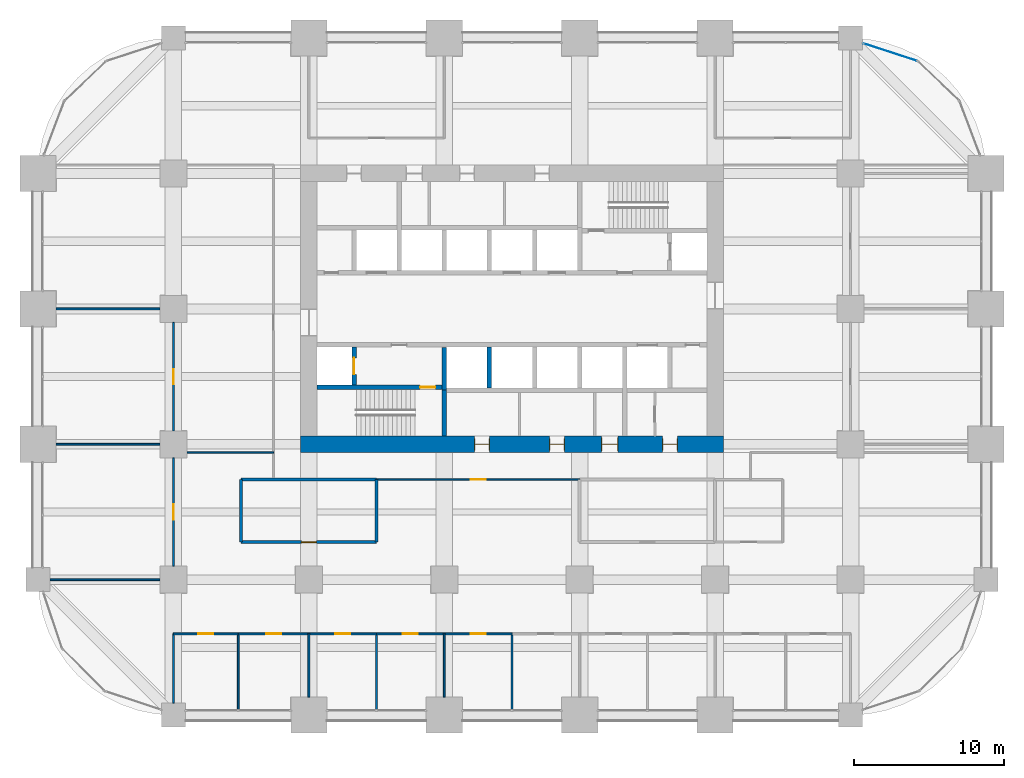
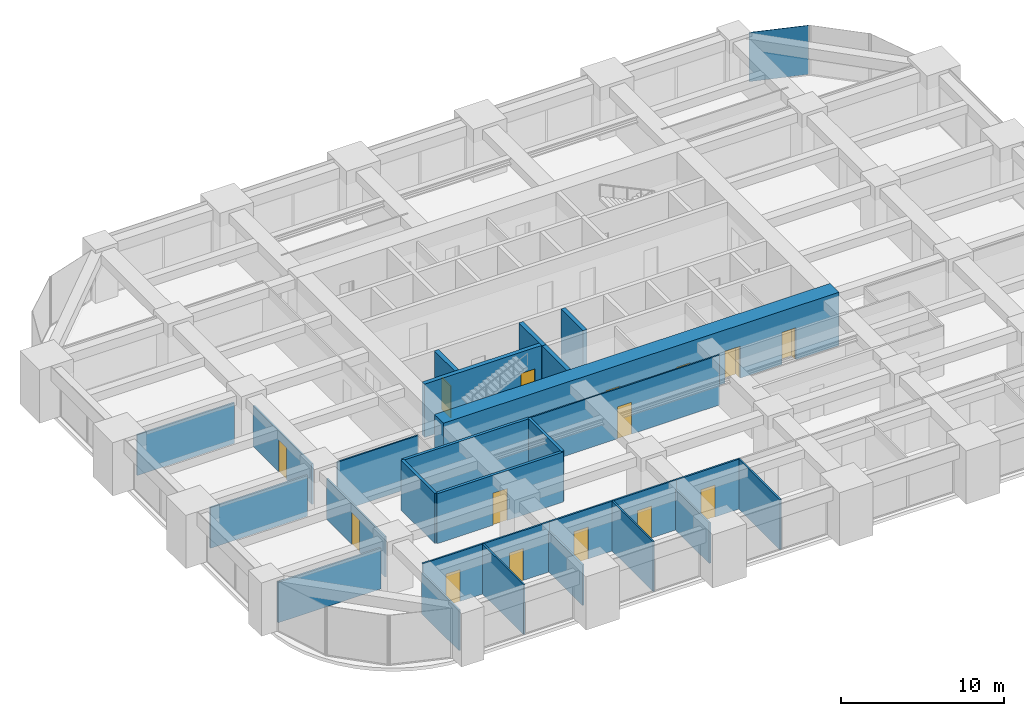
# One storey, part 36 of 40: 28 walls, 15 doors, 1 plate, 15 openings, 1 element without a shape of its own.
"""IFC4 building model written with IfcOpenShell, lengths in metres."""

import ifcopenshell
import ifcopenshell.guid

model = None  # the IFC model being written
_history = None  # IfcOwnerHistory: only IFC2X3 demands one
_inside = {}  # id of a spatial element -> (the spatial element, [elements in it])
_under = {}  # id of a project, library or spatial element -> (it, [spatial elements below it])
_declared = {}  # id of a project -> (the project, [libraries it declares])
_typed = {}  # id of a type object -> (the type object, [elements of that type])
_made_of = {}  # id of a material, layer set ... -> (it, [elements and type objects made of it])


def new_model(schema):
    """Start an empty IFC model of exactly this schema.

    Asked for "IFC4X3", IfcOpenShell would pick the latest addendum, in which some entities
    have other attributes; the version numbers below select the first issue.
    IFC2X3 requires an IfcOwnerHistory on every rooted entity: one is made here for all.
    """
    global model, _history
    if schema == "IFC4X3":
        model = ifcopenshell.file(schema_version=(4, 3, 0, 0))
    else:
        model = ifcopenshell.file(schema=schema)
    _inside.clear()
    _under.clear()
    _declared.clear()
    _typed.clear()
    _made_of.clear()
    _history = None
    if model.schema == "IFC2X3":
        org = make("IfcOrganization", Name="unknown")
        user = make(
            "IfcPersonAndOrganization",
            ThePerson=make("IfcPerson", FamilyName="unknown"),
            TheOrganization=org,
        )
        app = make(
            "IfcApplication",
            ApplicationDeveloper=org,
            Version="unknown",
            ApplicationFullName="unknown",
            ApplicationIdentifier="unknown",
        )
        _history = make(
            "IfcOwnerHistory",
            OwningUser=user,
            OwningApplication=app,
            ChangeAction="ADDED",
            CreationDate=0,
        )
    return model


def make(cls, **values):
    """One entity of the class cls with the attributes given. An attribute that is None is left unset."""
    return model.create_entity(
        cls, **{name: value for name, value in values.items() if value is not None}
    )


def rooted(cls, **values):
    """An entity with a GlobalId (a new one), such as an element, a storey or a relation."""
    return make(cls, GlobalId=ifcopenshell.guid.new(), OwnerHistory=_history, **values)


def si_unit(unit_type, name, prefix=None):
    """IfcSIUnit, for example si_unit("LENGTHUNIT", "METRE", prefix="MILLI")."""
    return make("IfcSIUnit", UnitType=unit_type, Prefix=prefix, Name=name)


def assignment(units):
    """IfcUnitAssignment: the units of a project."""
    return None if units is None else make("IfcUnitAssignment", Units=units)


def point(xyz):
    """IfcCartesianPoint."""
    return None if xyz is None else make("IfcCartesianPoint", Coordinates=xyz)


def direction(xyz):
    """IfcDirection."""
    return None if xyz is None else make("IfcDirection", DirectionRatios=xyz)


def frame(location, z_axis=None, x_axis=None):
    """IfcAxis2Placement3D, a coordinate frame: its origin and axes. An axis left out is left unset."""
    return make(
        "IfcAxis2Placement3D",
        Location=point(location),
        Axis=direction(z_axis),
        RefDirection=direction(x_axis),
    )


def frame_2d(location, x_axis=None):
    """IfcAxis2Placement2D, a coordinate frame in the plane: its origin and x axis."""
    return make(
        "IfcAxis2Placement2D", Location=point(location), RefDirection=direction(x_axis)
    )


def origin():
    """The frame at (0, 0, 0) with its axes left unset."""
    return frame((0.0, 0.0, 0.0))


def origin_2d():
    """The frame at (0, 0) in the plane with its x axis left unset."""
    return frame_2d((0.0, 0.0))


def place(relative_to, where):
    """IfcLocalPlacement: puts the frame where relative to a parent placement (None: the world)."""
    return make(
        "IfcLocalPlacement", PlacementRelTo=relative_to, RelativePlacement=where
    )


def context(
    kind, dimensions, precision=None, world=None, true_north=None, identifier=None
):
    """IfcGeometricRepresentationContext, for example the 3D "Model" context."""
    return make(
        "IfcGeometricRepresentationContext",
        ContextIdentifier=identifier,
        ContextType=kind,
        CoordinateSpaceDimension=dimensions,
        Precision=precision,
        WorldCoordinateSystem=world,
        TrueNorth=true_north,
    )


def subcontext(parent, identifier, kind, view, scale=None):
    """IfcGeometricRepresentationSubContext, for example "Body" below "Model"."""
    return make(
        "IfcGeometricRepresentationSubContext",
        ContextIdentifier=identifier,
        ContextType=kind,
        ParentContext=parent,
        TargetScale=scale,
        TargetView=view,
    )


def project(units=None, contexts=None):
    """IfcProject with its units and contexts."""
    return rooted(
        "IfcProject",
        Name="project",
        RepresentationContexts=contexts,
        UnitsInContext=assignment(units),
    )


def spatial(cls, under=None, at=None, **own):
    """A site, building, storey or space (cls), placed at a placement, below another one or the project."""
    s = rooted(cls, ObjectPlacement=at, **own)
    if under is not None:
        _under.setdefault(under.id(), (under, []))[1].append(s)
    return s


def profile(cls, at=None, kind="AREA", **sizes):
    """A parametric profile (cls). Its sizes go by their IFC names, for example OverallWidth=200.0."""
    return make(cls, ProfileType=kind, Position=at, **sizes)


def rectangle(**sizes):
    """IfcRectangleProfileDef."""
    return profile("IfcRectangleProfileDef", **sizes)


def extrude(swept, where, along, depth):
    """IfcExtrudedAreaSolid: the profile swept, set in the frame where, extruded along a direction by depth."""
    return make(
        "IfcExtrudedAreaSolid",
        SweptArea=swept,
        Position=where,
        ExtrudedDirection=direction(along),
        Depth=depth,
    )


def shape(context_of_items, identifier, shape_type, items):
    """IfcShapeRepresentation: the items that make up one representation, for example the "Body"."""
    return make(
        "IfcShapeRepresentation",
        ContextOfItems=context_of_items,
        RepresentationIdentifier=identifier,
        RepresentationType=shape_type,
        Items=items,
    )


def material(Name=None, Category=None):
    """IfcMaterial."""
    return make("IfcMaterial", Name=Name, Category=Category)


def layer(
    of_material, thickness, ventilated=None, Name=None, Category=None, Priority=None
):
    """IfcMaterialLayer: one layer of a wall or slab, of a material (None: an air gap)."""
    return make(
        "IfcMaterialLayer",
        Material=of_material,
        LayerThickness=thickness,
        IsVentilated=ventilated,
        Name=Name,
        Category=Category,
        Priority=Priority,
    )


def layer_set(layers, Name=None):
    """IfcMaterialLayerSet."""
    return make("IfcMaterialLayerSet", MaterialLayers=layers, LayerSetName=Name)


def made_of(thing, what):
    """Note that an element or type object is made of a material, layer set ...; save() writes the relation."""
    if what is not None:
        _made_of.setdefault(what.id(), (what, []))[1].append(thing)
    return thing


def type_object(cls, material=None, **own):
    """A type object (cls), such as IfcWallType, which elements share."""
    return made_of(rooted(cls, **own), material)


def element(
    cls,
    number,
    at=None,
    inside=None,
    cuts=None,
    type_object=None,
    material=None,
    context=None,
    identifier="Body",
    shape_type=None,
    held_by="IfcProductDefinitionShape",
    body=None,
    shapes=None,
    **own,
):
    """One element of the class cls, such as IfcWall. Its Tag is "e" and its number.

    at: its placement. inside: the storey or other place that contains it. cuts: it is an
    opening in that element (IfcRelVoidsElement). A single representation is given by context,
    identifier, shape_type and body (its items); several are given by shapes. held_by: the class
    of the entity that holds the representations. save() writes the other relations.
    """
    e = rooted(cls, Tag="e%d" % number, ObjectPlacement=at, **own)
    if body is not None:
        shapes = [shape(context, identifier, shape_type, body)]
    if shapes is not None:
        e.Representation = make(held_by, Representations=shapes)
    if inside is not None:
        _inside.setdefault(inside.id(), (inside, []))[1].append(e)
    if cuts is not None:
        rooted(
            "IfcRelVoidsElement", RelatingBuildingElement=cuts, RelatedOpeningElement=e
        )
    if type_object is not None:
        _typed.setdefault(type_object.id(), (type_object, []))[1].append(e)
    return made_of(e, material)


def fill(opening, filler):
    """IfcRelFillsElement: the door or window that sits in an opening."""
    return rooted(
        "IfcRelFillsElement",
        RelatingOpeningElement=opening,
        RelatedBuildingElement=filler,
    )


def aggregate(whole, parts):
    """IfcRelAggregates: a whole, such as a stair, and the parts it consists of."""
    return rooted("IfcRelAggregates", RelatingObject=whole, RelatedObjects=parts)


def save(model, path):
    """Write the relations noted so far, then the file.

    IfcRelAggregates (storeys below a building ...), IfcRelContainedInSpatialStructure (elements
    in a storey), IfcRelDefinesByType, IfcRelAssociatesMaterial and IfcRelDeclares: one each for
    every whole, place, type object, material and project.
    """
    for whole, parts in _under.values():
        aggregate(whole, parts)
    for where, things in _inside.values():
        rooted(
            "IfcRelContainedInSpatialStructure",
            RelatedElements=things,
            RelatingStructure=where,
        )
    for kind, things in _typed.values():
        rooted("IfcRelDefinesByType", RelatedObjects=things, RelatingType=kind)
    for what, things in _made_of.values():
        rooted("IfcRelAssociatesMaterial", RelatedObjects=things, RelatingMaterial=what)
    for by, libraries in _declared.values():
        rooted("IfcRelDeclares", RelatingContext=by, RelatedDefinitions=libraries)
    model.write(path)


model = new_model("IFC4")

# Units and contexts
model_context = context("Model", 3, precision=1e-05, world=origin(), true_north=direction((0.0, 1.0)))
body_context = subcontext(model_context, "Body", "Model", "MODEL_VIEW")
ifc_project = project(units=[si_unit("LENGTHUNIT", "METRE"), si_unit("AREAUNIT", "SQUARE_METRE"), si_unit("VOLUMEUNIT", "CUBIC_METRE"), si_unit("PLANEANGLEUNIT", "RADIAN"), si_unit("MASSUNIT", "GRAM", prefix="KILO")], contexts=[model_context])

# Site, building, storey
site_placement = place(None, origin())
site = spatial("IfcSite", under=ifc_project, at=site_placement, CompositionType="ELEMENT")
building_placement = place(site_placement, origin())
building = spatial("IfcBuilding", under=site, at=building_placement, Name="Zorevar Civic Tower", CompositionType="ELEMENT")
storey_placement = place(building_placement, frame((0.0, 0.0, 129.0)))
storey = spatial("IfcBuildingStorey", under=building, at=storey_placement, Name="L31", CompositionType="ELEMENT", Elevation=129.0)

# Curtain wall, plate
ifc_material_1 = material(Name="Dark grey solar-control glass in black aluminium frame", Category="aluminium")
curtain_wall_type = type_object("IfcCurtainWallType", Name="Curtain wall CW3 mid zone", PredefinedType="NOTDEFINED", material=ifc_material_1)
curtain_wall_placement = place(storey_placement, origin())
curtain_wall = element("IfcCurtainWall", 1, at=curtain_wall_placement, inside=storey, type_object=curtain_wall_type, Name="CW3 L31", PredefinedType="NOTDEFINED")
ifc_material_2 = material(Name="Dark grey solar-control glass", Category="glass")
ifc_layer_1 = layer(ifc_material_2, 0.030029296875)
ifc_layer_set_1 = layer_set([ifc_layer_1], Name="CW3 panel 30")
plate_type = type_object("IfcPlateType", Name="CW3 panel 30", PredefinedType="CURTAIN_PANEL", material=ifc_layer_set_1)
plate_placement = place(storey_placement, frame((56.63232421875, 44.065185546875, 0.06005859375), z_axis=(0.0, 0.0, 1.0), x_axis=(-0.950650706548, 0.310263169163, 0.0)))
plate = element("IfcPlate", 2, at=plate_placement, type_object=plate_type, Name="CW3 panel 1.1", PredefinedType="CURTAIN_PANEL", context=body_context, shape_type="SweptSolid", body=[
    extrude(rectangle(XDim=3.734619140625, YDim=0.030029296875, at=origin_2d()), origin(), (0.0, 0.0, 1.0), 3.68994140625),
])
aggregate(curtain_wall, [plate])

# Wall, opening, door
ifc_material_3 = material(Name="Concrete blockwork", Category="masonry")
ifc_layer_2 = layer(ifc_material_3, 0.199951171875)
ifc_layer_set_2 = layer_set([ifc_layer_2], Name="Blockwork wall 200")
wall_type_1 = type_object("IfcWallType", Name="Blockwork wall 200", PredefinedType="SOLIDWALL", material=ifc_layer_set_2)
wall_1_placement = place(storey_placement, frame((13.5, 11.5, 0.0), z_axis=(0.0, 0.0, 1.0), x_axis=(1.0, 0.0, 0.0)))
wall_1 = element("IfcWall", 3, at=wall_1_placement, inside=storey, type_object=wall_type_1, Name="Blockwork wall 200 L31", PredefinedType="SOLIDWALL", context=body_context, shape_type="SweptSolid", body=[
    extrude(rectangle(XDim=9.0, YDim=0.199951171875, at=frame_2d((4.5, 0.0))), origin(), (0.0, 0.0, 1.0), 3.75),
])
opening_1_placement = place(wall_1_placement, frame((4.0, 0.0, 0.0)))
opening_1 = element("IfcOpeningElement", 4, at=opening_1_placement, cuts=wall_1, Name="Opening L31.27", PredefinedType="OPENING", context=body_context, shape_type="SweptSolid", body=[
    extrude(rectangle(XDim=1.0, YDim=2.39990234375, at=frame_2d((0.5, 1.199951171875))), frame((0.0, 0.10986328125, 0.0), z_axis=(0.0, -1.0, 0.0), x_axis=(1.0, 0.0, 0.0)), (0.0, 0.0, 1.0), 0.219970703125),
])
ifc_material_4 = material(Name="Steel door set", Category="steel")
door_type_1 = type_object("IfcDoorType", Name="Security door SD1 1000x2400", OperationType="SINGLE_SWING_LEFT", PredefinedType="DOOR", material=ifc_material_4)
door_1_placement = place(opening_1_placement, origin())
door_1 = element("IfcDoor", 5, at=door_1_placement, inside=storey, type_object=door_type_1, Name="Door L31 D1", OperationType="SINGLE_SWING_LEFT", OverallHeight=2.39990234375, OverallWidth=1.0, PredefinedType="DOOR", context=body_context, shape_type="SweptSolid", body=[
    extrude(rectangle(XDim=1.0, YDim=2.39990234375, at=frame_2d((0.5, 1.199951171875))), frame((0.0, 0.03515625, 0.0), z_axis=(0.0, -1.0, 0.0), x_axis=(1.0, 0.0, 0.0)), (0.0, 0.0, 1.0), 0.070068359375),
])
fill(opening_1, door_1)

# Walls
wall_2_placement = place(storey_placement, frame((13.5, 15.64990234375, 0.0), z_axis=(0.0, 0.0, 1.0), x_axis=(1.0, 0.0, 0.0)))
element("IfcWall", 6, at=wall_2_placement, inside=storey, type_object=wall_type_1, Name="Blockwork wall 200 L31", PredefinedType="SOLIDWALL", context=body_context, shape_type="SweptSolid", body=[
    extrude(rectangle(XDim=9.0, YDim=0.199951171875, at=frame_2d((4.5, 0.0))), origin(), (0.0, 0.0, 1.0), 3.75),
])
for number, where, z_axis, x_axis, name in (
    (7, (13.5, 11.5, 0.0), (0.0, 0.0, 1.0), (0.0, 1.0, 0.0), "Blockwork wall 200 L31"),
    (8, (22.5, 11.5, 0.0), (0.0, 0.0, 1.0), (0.0, 1.0, 0.0), "Blockwork wall 200 L31"),
):
    element("IfcWall", number, at=place(storey_placement, frame(where, z_axis=z_axis, x_axis=x_axis)), inside=storey, type_object=wall_type_1, Name=name, PredefinedType="SOLIDWALL", context=body_context, shape_type="SweptSolid", body=[
        extrude(rectangle(XDim=4.14990234375, YDim=0.199951171875, at=frame_2d((2.074951171875, 0.0))), origin(), (0.0, 0.0, 1.0), 3.75),
    ])

# Wall, openings, doors
ifc_material_5 = material(Name="Concrete C50/60", Category="concrete")
ifc_layer_3 = layer(ifc_material_5, 1.10009765625)
ifc_layer_set_3 = layer_set([ifc_layer_3], Name="Core wall 1100")
wall_type_2 = type_object("IfcWallType", Name="Core wall 1100", PredefinedType="SHEAR", material=ifc_layer_set_3)
wall_3_placement = place(storey_placement, frame((17.449951171875, 18.0, 0.0), z_axis=(0.0, 0.0, 1.0), x_axis=(1.0, 0.0, 0.0)))
wall_3 = element("IfcWall", 9, at=wall_3_placement, inside=storey, type_object=wall_type_2, Name="Core wall S L31", PredefinedType="SHEAR", context=body_context, shape_type="SweptSolid", body=[
    extrude(rectangle(XDim=28.10009765625, YDim=1.10009765625, at=frame_2d((14.050048828125, 0.0))), origin(), (0.0, 0.0, 1.0), 4.0),
])
opening_2_placement = place(wall_3_placement, frame((11.550048828125, 0.0, 0.0)))
opening_2 = element("IfcOpeningElement", 10, at=opening_2_placement, cuts=wall_3, Name="Opening L31.03", PredefinedType="OPENING", context=body_context, shape_type="SweptSolid", body=[
    extrude(rectangle(XDim=1.0, YDim=2.39990234375, at=frame_2d((0.5, 1.199951171875))), frame((0.0, 0.56005859375, 0.0), z_axis=(0.0, -1.0, 0.0), x_axis=(1.0, 0.0, 0.0)), (0.0, 0.0, 1.0), 1.1201171875),
])
opening_3_placement = place(wall_3_placement, frame((16.550048828125, 0.0, 0.0)))
opening_3 = element("IfcOpeningElement", 11, at=opening_3_placement, cuts=wall_3, Name="Opening L31.04", PredefinedType="OPENING", context=body_context, shape_type="SweptSolid", body=[
    extrude(rectangle(XDim=1.0, YDim=2.39990234375, at=frame_2d((0.5, 1.199951171875))), frame((0.0, 0.56005859375, 0.0), z_axis=(0.0, -1.0, 0.0), x_axis=(1.0, 0.0, 0.0)), (0.0, 0.0, 1.0), 1.1201171875),
])
opening_4_placement = place(wall_3_placement, frame((20.0, 0.0, 0.0)))
opening_4 = element("IfcOpeningElement", 12, at=opening_4_placement, cuts=wall_3, Name="Opening L31.05", PredefinedType="OPENING", context=body_context, shape_type="SweptSolid", body=[
    extrude(rectangle(XDim=1.10009765625, YDim=2.39990234375, at=frame_2d((0.550048828125, 1.199951171875))), frame((0.0, 0.56005859375, 0.0), z_axis=(0.0, -1.0, 0.0), x_axis=(1.0, 0.0, 0.0)), (0.0, 0.0, 1.0), 1.1201171875),
])
opening_5_placement = place(wall_3_placement, frame((24.050048828125, 0.0, 0.0)))
opening_5 = element("IfcOpeningElement", 13, at=opening_5_placement, cuts=wall_3, Name="Opening L31.06", PredefinedType="OPENING", context=body_context, shape_type="SweptSolid", body=[
    extrude(rectangle(XDim=1.0, YDim=2.39990234375, at=frame_2d((0.5, 1.199951171875))), frame((0.0, 0.56005859375, 0.0), z_axis=(0.0, -1.0, 0.0), x_axis=(1.0, 0.0, 0.0)), (0.0, 0.0, 1.0), 1.1201171875),
])
ifc_material_6 = material(Name="Timber door set", Category="wood")
door_type_2 = type_object("IfcDoorType", Name="Door D1 1000x2400", OperationType="SINGLE_SWING_LEFT", PredefinedType="DOOR", material=ifc_material_6)
door_2_placement = place(opening_2_placement, origin())
door_2 = element("IfcDoor", 14, at=door_2_placement, inside=storey, type_object=door_type_2, Name="Door L31 02", OperationType="SINGLE_SWING_RIGHT", OverallHeight=2.39990234375, OverallWidth=1.0, PredefinedType="DOOR", context=body_context, shape_type="SweptSolid", body=[
    extrude(rectangle(XDim=1.0, YDim=2.39990234375, at=frame_2d((0.5, 1.199951171875))), frame((0.0, 0.02490234375, 0.0), z_axis=(0.0, -1.0, 0.0), x_axis=(1.0, 0.0, 0.0)), (0.0, 0.0, 1.0), 0.050048828125),
    extrude(rectangle(XDim=0.04, YDim=2.39990234375, at=frame_2d((0.02001953125, 1.199951171875))), frame((0.0, 0.39990234375, 0.0), z_axis=(0.0, -1.0, 0.0), x_axis=(1.0, 0.0, 0.0)), (0.0, 0.0, 1.0), 0.800048828125),
    extrude(rectangle(XDim=0.04, YDim=2.39990234375, at=frame_2d((0.97998046875, 1.199951171875))), frame((0.0, 0.39990234375, 0.0), z_axis=(0.0, -1.0, 0.0), x_axis=(1.0, 0.0, 0.0)), (0.0, 0.0, 1.0), 0.800048828125),
    extrude(rectangle(XDim=1.0, YDim=0.04, at=frame_2d((0.5, 2.3798828125))), frame((0.0, 0.39990234375, 0.0), z_axis=(0.0, -1.0, 0.0), x_axis=(1.0, 0.0, 0.0)), (0.0, 0.0, 1.0), 0.800048828125),
])
fill(opening_2, door_2)
door_3_placement = place(opening_3_placement, origin())
door_3 = element("IfcDoor", 15, at=door_3_placement, inside=storey, type_object=door_type_2, Name="Door L31 03", OperationType="SINGLE_SWING_LEFT", OverallHeight=2.39990234375, OverallWidth=1.0, PredefinedType="DOOR", context=body_context, shape_type="SweptSolid", body=[
    extrude(rectangle(XDim=1.0, YDim=2.39990234375, at=frame_2d((0.5, 1.199951171875))), frame((0.0, 0.02490234375, 0.0), z_axis=(0.0, -1.0, 0.0), x_axis=(1.0, 0.0, 0.0)), (0.0, 0.0, 1.0), 0.050048828125),
    extrude(rectangle(XDim=0.04, YDim=2.39990234375, at=frame_2d((0.02001953125, 1.199951171875))), frame((0.0, 0.39990234375, 0.0), z_axis=(0.0, -1.0, 0.0), x_axis=(1.0, 0.0, 0.0)), (0.0, 0.0, 1.0), 0.800048828125),
    extrude(rectangle(XDim=0.04, YDim=2.39990234375, at=frame_2d((0.97998046875, 1.199951171875))), frame((0.0, 0.39990234375, 0.0), z_axis=(0.0, -1.0, 0.0), x_axis=(1.0, 0.0, 0.0)), (0.0, 0.0, 1.0), 0.800048828125),
    extrude(rectangle(XDim=1.0, YDim=0.04, at=frame_2d((0.5, 2.3798828125))), frame((0.0, 0.39990234375, 0.0), z_axis=(0.0, -1.0, 0.0), x_axis=(1.0, 0.0, 0.0)), (0.0, 0.0, 1.0), 0.800048828125),
])
fill(opening_3, door_3)
door_4_placement = place(opening_5_placement, origin())
door_4 = element("IfcDoor", 16, at=door_4_placement, inside=storey, type_object=door_type_2, Name="Door L31 05", OperationType="SINGLE_SWING_LEFT", OverallHeight=2.39990234375, OverallWidth=1.0, PredefinedType="DOOR", context=body_context, shape_type="SweptSolid", body=[
    extrude(rectangle(XDim=1.0, YDim=2.39990234375, at=frame_2d((0.5, 1.199951171875))), frame((0.0, 0.02490234375, 0.0), z_axis=(0.0, -1.0, 0.0), x_axis=(1.0, 0.0, 0.0)), (0.0, 0.0, 1.0), 0.050048828125),
    extrude(rectangle(XDim=0.04, YDim=2.39990234375, at=frame_2d((0.02001953125, 1.199951171875))), frame((0.0, 0.39990234375, 0.0), z_axis=(0.0, -1.0, 0.0), x_axis=(1.0, 0.0, 0.0)), (0.0, 0.0, 1.0), 0.800048828125),
    extrude(rectangle(XDim=0.04, YDim=2.39990234375, at=frame_2d((0.97998046875, 1.199951171875))), frame((0.0, 0.39990234375, 0.0), z_axis=(0.0, -1.0, 0.0), x_axis=(1.0, 0.0, 0.0)), (0.0, 0.0, 1.0), 0.800048828125),
    extrude(rectangle(XDim=1.0, YDim=0.04, at=frame_2d((0.5, 2.3798828125))), frame((0.0, 0.39990234375, 0.0), z_axis=(0.0, -1.0, 0.0), x_axis=(1.0, 0.0, 0.0)), (0.0, 0.0, 1.0), 0.800048828125),
])
fill(opening_5, door_4)
ifc_material_7 = material(Name="Timber door set", Category="wood")
door_type_3 = type_object("IfcDoorType", Name="Door D5 1100x2400", OperationType="SINGLE_SWING_LEFT", PredefinedType="DOOR", material=ifc_material_7)
door_5_placement = place(opening_4_placement, origin())
door_5 = element("IfcDoor", 17, at=door_5_placement, inside=storey, type_object=door_type_3, Name="Door L31 04", OperationType="SINGLE_SWING_LEFT", OverallHeight=2.39990234375, OverallWidth=1.10009765625, PredefinedType="DOOR", context=body_context, shape_type="SweptSolid", body=[
    extrude(rectangle(XDim=1.10009765625, YDim=2.39990234375, at=frame_2d((0.550048828125, 1.199951171875))), frame((0.0, 0.02490234375, 0.0), z_axis=(0.0, -1.0, 0.0), x_axis=(1.0, 0.0, 0.0)), (0.0, 0.0, 1.0), 0.050048828125),
    extrude(rectangle(XDim=0.04, YDim=2.39990234375, at=frame_2d((0.02001953125, 1.199951171875))), frame((0.0, 0.43994140625, 0.0), z_axis=(0.0, -1.0, 0.0), x_axis=(1.0, 0.0, 0.0)), (0.0, 0.0, 1.0), 0.880126953125),
    extrude(rectangle(XDim=0.04, YDim=2.39990234375, at=frame_2d((1.080078125, 1.199951171875))), frame((0.0, 0.43994140625, 0.0), z_axis=(0.0, -1.0, 0.0), x_axis=(1.0, 0.0, 0.0)), (0.0, 0.0, 1.0), 0.880126953125),
    extrude(rectangle(XDim=1.10009765625, YDim=0.04, at=frame_2d((0.550048828125, 2.3798828125))), frame((0.0, 0.43994140625, 0.0), z_axis=(0.0, -1.0, 0.0), x_axis=(1.0, 0.0, 0.0)), (0.0, 0.0, 1.0), 0.880126953125),
])
fill(opening_4, door_5)

# Wall, opening, door
ifc_material_8 = material(Name="Laminated glass in black aluminium frame", Category="aluminium")
ifc_layer_4 = layer(ifc_material_8, 0.10009765625)
ifc_layer_set_4 = layer_set([ifc_layer_4], Name="Glazed partition 100")
wall_type_3 = type_object("IfcWallType", Name="Glazed partition 100", PredefinedType="PARTITIONING", material=ifc_layer_set_4)
wall_4_placement = place(storey_placement, frame((22.5, 15.64990234375, 0.0), z_axis=(0.0, 0.0, 1.0), x_axis=(1.0, 0.0, 0.0)))
wall_4 = element("IfcWall", 18, at=wall_4_placement, inside=storey, type_object=wall_type_3, Name="Glazed partition 100 L31", PredefinedType="PARTITIONING", context=body_context, shape_type="SweptSolid", body=[
    extrude(rectangle(XDim=13.5, YDim=0.10009765625, at=frame_2d((6.75, 0.0))), origin(), (0.0, 0.0, 1.0), 3.75),
])
opening_6_placement = place(wall_4_placement, frame((6.25, 0.0, 0.0)))
opening_6 = element("IfcOpeningElement", 19, at=opening_6_placement, cuts=wall_4, Name="Opening L31.30", PredefinedType="OPENING", context=body_context, shape_type="SweptSolid", body=[
    extrude(rectangle(XDim=1.0, YDim=2.39990234375, at=frame_2d((0.5, 1.199951171875))), frame((0.0, 0.06005859375, 0.0), z_axis=(0.0, -1.0, 0.0), x_axis=(1.0, 0.0, 0.0)), (0.0, 0.0, 1.0), 0.1201171875),
])
ifc_material_9 = material(Name="Timber door set", Category="wood")
door_type_4 = type_object("IfcDoorType", Name="Glazed door GD1 1000x2400", OperationType="SINGLE_SWING_LEFT", PredefinedType="DOOR", material=ifc_material_9)
door_6_placement = place(opening_6_placement, origin())
door_6 = element("IfcDoor", 20, at=door_6_placement, inside=storey, type_object=door_type_4, Name="Door L31 D1", OperationType="SINGLE_SWING_LEFT", OverallHeight=2.39990234375, OverallWidth=1.0, PredefinedType="DOOR", context=body_context, shape_type="SweptSolid", body=[
    extrude(rectangle(XDim=1.0, YDim=2.39990234375, at=frame_2d((0.5, 1.199951171875))), frame((0.0, 0.02001953125, 0.0), z_axis=(0.0, -1.0, 0.0), x_axis=(1.0, 0.0, 0.0)), (0.0, 0.0, 1.0), 0.0400390625),
])
fill(opening_6, door_6)

# Wall
wall_5_placement = place(storey_placement, frame((9.89990234375, 17.449951171875, 0.0), z_axis=(0.0, 0.0, 1.0), x_axis=(1.0, 0.0, 0.0)))
element("IfcWall", 21, at=wall_5_placement, inside=storey, type_object=wall_type_3, Name="Glazed partition 100 L31", PredefinedType="PARTITIONING", context=body_context, shape_type="SweptSolid", body=[
    extrude(rectangle(XDim=5.75, YDim=0.10009765625, at=frame_2d((2.875, 0.0))), origin(), (0.0, 0.0, 1.0), 3.75),
])

# Wall, opening, door
ifc_material_10 = material(Name="Concrete C40/50", Category="concrete")
ifc_layer_5 = layer(ifc_material_10, 0.300048828125)
ifc_layer_set_5 = layer_set([ifc_layer_5], Name="Inner core wall 300")
wall_type_4 = type_object("IfcWallType", Name="Inner core wall 300", PredefinedType="SHEAR", material=ifc_layer_set_5)
wall_6_placement = place(storey_placement, frame((18.550048828125, 21.800048828125, 0.0), z_axis=(0.0, 0.0, 1.0), x_axis=(1.0, 0.0, 0.0)))
wall_6 = element("IfcWall", 22, at=wall_6_placement, inside=storey, type_object=wall_type_4, Name="Inner core wall S00 L31", PredefinedType="SHEAR", context=body_context, shape_type="SweptSolid", body=[
    extrude(rectangle(XDim=8.300048828125, YDim=0.300048828125, at=frame_2d((4.14990234375, 0.0))), origin(), (0.0, 0.0, 1.0), 4.0),
])
opening_7_placement = place(wall_6_placement, frame((6.85009765625, 0.0, 0.0)))
opening_7 = element("IfcOpeningElement", 23, at=opening_7_placement, cuts=wall_6, Name="Opening L31.11", PredefinedType="OPENING", context=body_context, shape_type="SweptSolid", body=[
    extrude(rectangle(XDim=1.0, YDim=2.39990234375, at=frame_2d((0.5, 1.199951171875))), frame((0.0, 0.159912109375, 0.0), z_axis=(0.0, -1.0, 0.0), x_axis=(1.0, 0.0, 0.0)), (0.0, 0.0, 1.0), 0.320068359375),
])
ifc_material_11 = material(Name="Steel door set", Category="steel")
door_type_5 = type_object("IfcDoorType", Name="Fire door FD1 1000x2400", OperationType="SINGLE_SWING_LEFT", PredefinedType="DOOR", material=ifc_material_11)
door_7_placement = place(opening_7_placement, origin())
door_7 = element("IfcDoor", 24, at=door_7_placement, inside=storey, type_object=door_type_5, Name="Door L31 10", OperationType="SINGLE_SWING_RIGHT", OverallHeight=2.39990234375, OverallWidth=1.0, PredefinedType="DOOR", context=body_context, shape_type="SweptSolid", body=[
    extrude(rectangle(XDim=1.0, YDim=2.39990234375, at=frame_2d((0.5, 1.199951171875))), frame((0.0, 0.030029296875, 0.0), z_axis=(0.0, -1.0, 0.0), x_axis=(1.0, 0.0, 0.0)), (0.0, 0.0, 1.0), 0.06005859375),
])
fill(opening_7, door_7)

# Wall
wall_7_placement = place(storey_placement, frame((27.0, 18.550048828125, 0.0), z_axis=(0.0, 0.0, 1.0), x_axis=(0.0, 1.0, 0.0)))
element("IfcWall", 25, at=wall_7_placement, inside=storey, type_object=wall_type_4, Name="Inner core wall S01 L31", PredefinedType="SHEAR", context=body_context, shape_type="SweptSolid", body=[
    extrude(rectangle(XDim=3.050048828125, YDim=0.300048828125, at=frame_2d((1.52490234375, 0.0))), origin(), (0.0, 0.0, 1.0), 4.0),
])

# Wall, opening, door
wall_8_placement = place(storey_placement, frame((21.0, 21.949951171875, 0.0), z_axis=(0.0, 0.0, 1.0), x_axis=(0.0, 1.0, 0.0)))
wall_8 = element("IfcWall", 26, at=wall_8_placement, inside=storey, type_object=wall_type_4, Name="Inner core wall S02 L31", PredefinedType="SHEAR", context=body_context, shape_type="SweptSolid", body=[
    extrude(rectangle(XDim=2.5, YDim=0.300048828125, at=frame_2d((1.25, 0.0))), origin(), (0.0, 0.0, 1.0), 4.0),
])
opening_8_placement = place(wall_8_placement, frame((0.699951171875, 0.0, 0.0)))
opening_8 = element("IfcOpeningElement", 27, at=opening_8_placement, cuts=wall_8, Name="Opening L31.FL1", PredefinedType="OPENING", context=body_context, shape_type="SweptSolid", body=[
    extrude(rectangle(XDim=1.10009765625, YDim=2.39990234375, at=frame_2d((0.550048828125, 1.199951171875))), frame((0.0, 0.159912109375, 0.0), z_axis=(0.0, -1.0, 0.0), x_axis=(1.0, 0.0, 0.0)), (0.0, 0.0, 1.0), 0.320068359375),
])
ifc_material_12 = material(Name="Steel door set", Category="steel")
door_type_6 = type_object("IfcDoorType", Name="Firefighting lift landing door LD3 1100x2400", OperationType="DOUBLE_DOOR_SLIDING", PredefinedType="DOOR", material=ifc_material_12)
door_8_placement = place(opening_8_placement, origin())
door_8 = element("IfcDoor", 28, at=door_8_placement, inside=storey, type_object=door_type_6, Name="Landing door FL1 L31", OperationType="DOUBLE_DOOR_SLIDING", OverallHeight=2.39990234375, OverallWidth=1.10009765625, PredefinedType="DOOR", context=body_context, shape_type="SweptSolid", body=[
    extrude(rectangle(XDim=1.10009765625, YDim=2.39990234375, at=frame_2d((0.550048828125, 1.199951171875))), frame((0.0, 0.030029296875, 0.0), z_axis=(0.0, -1.0, 0.0), x_axis=(1.0, 0.0, 0.0)), (0.0, 0.0, 1.0), 0.06005859375),
])
fill(opening_8, door_8)

# Walls
wall_9_placement = place(storey_placement, frame((30.0, 21.75, 0.0), z_axis=(0.0, 0.0, 1.0), x_axis=(0.0, 1.0, 0.0)))
element("IfcWall", 29, at=wall_9_placement, inside=storey, type_object=wall_type_4, Name="Inner core wall S05 L31", PredefinedType="SHEAR", context=body_context, shape_type="SweptSolid", body=[
    extrude(rectangle(XDim=2.699951171875, YDim=0.300048828125, at=frame_2d((1.35009765625, 0.0))), origin(), (0.0, 0.0, 1.0), 4.0),
])
wall_10_placement = place(storey_placement, frame((27.0, 21.60009765625, 0.0), z_axis=(0.0, 0.0, 1.0), x_axis=(0.0, 1.0, 0.0)))
element("IfcWall", 30, at=wall_10_placement, inside=storey, type_object=wall_type_4, Name="Inner core wall S10 L31", PredefinedType="SHEAR", context=body_context, shape_type="SweptSolid", body=[
    extrude(rectangle(XDim=2.849853515625, YDim=0.300048828125, at=frame_2d((1.4248046875, 0.0))), origin(), (0.0, 0.0, 1.0), 4.0),
])

# Wall, opening, door
ifc_material_13 = material(Name="Gypsum board on steel studs", Category="steel")
ifc_layer_6 = layer(ifc_material_13, 0.1201171875)
ifc_layer_set_6 = layer_set([ifc_layer_6], Name="Partition 120")
wall_type_5 = type_object("IfcWallType", Name="Partition 120", PredefinedType="PARTITIONING", material=ifc_layer_set_6)
wall_11_placement = place(storey_placement, frame((9.0, 5.39990234375, 0.0), z_axis=(0.0, 0.0, 1.0), x_axis=(1.0, 0.0, 0.0)))
wall_11 = element("IfcWall", 31, at=wall_11_placement, inside=storey, type_object=wall_type_5, Name="Partition 120 L31", PredefinedType="PARTITIONING", context=body_context, shape_type="SweptSolid", body=[
    extrude(rectangle(XDim=4.300048828125, YDim=0.1201171875, at=frame_2d((2.14990234375, 0.0))), origin(), (0.0, 0.0, 1.0), 3.75),
])
opening_9_placement = place(wall_11_placement, frame((1.64990234375, 0.0, 0.0)))
opening_9 = element("IfcOpeningElement", 32, at=opening_9_placement, cuts=wall_11, Name="Opening L31.17", PredefinedType="OPENING", context=body_context, shape_type="SweptSolid", body=[
    extrude(rectangle(XDim=1.0, YDim=2.39990234375, at=frame_2d((0.5, 1.199951171875))), frame((0.0, 0.070068359375, 0.0), z_axis=(0.0, -1.0, 0.0), x_axis=(1.0, 0.0, 0.0)), (0.0, 0.0, 1.0), 0.14013671875),
])
door_9_placement = place(opening_9_placement, origin())
door_9 = element("IfcDoor", 33, at=door_9_placement, inside=storey, type_object=door_type_2, Name="Door L31 D1", OperationType="SINGLE_SWING_RIGHT", OverallHeight=2.39990234375, OverallWidth=1.0, PredefinedType="DOOR", context=body_context, shape_type="SweptSolid", body=[
    extrude(rectangle(XDim=1.0, YDim=2.39990234375, at=frame_2d((0.5, 1.199951171875))), frame((0.0, 0.02490234375, 0.0), z_axis=(0.0, -1.0, 0.0), x_axis=(1.0, 0.0, 0.0)), (0.0, 0.0, 1.0), 0.050048828125),
])
fill(opening_9, door_9)

wall_12_placement = place(storey_placement, frame((13.300048828125, 5.39990234375, 0.0), z_axis=(0.0, 0.0, 1.0), x_axis=(1.0, 0.0, 0.0)))
wall_12 = element("IfcWall", 34, at=wall_12_placement, inside=storey, type_object=wall_type_5, Name="Partition 120 L31", PredefinedType="PARTITIONING", context=body_context, shape_type="SweptSolid", body=[
    extrude(rectangle(XDim=4.699951171875, YDim=0.1201171875, at=frame_2d((2.35009765625, 0.0))), origin(), (0.0, 0.0, 1.0), 3.75),
])
opening_10_placement = place(wall_12_placement, frame((1.85009765625, 0.0, 0.0)))
opening_10 = element("IfcOpeningElement", 35, at=opening_10_placement, cuts=wall_12, Name="Opening L31.18", PredefinedType="OPENING", context=body_context, shape_type="SweptSolid", body=[
    extrude(rectangle(XDim=1.0, YDim=2.39990234375, at=frame_2d((0.5, 1.199951171875))), frame((0.0, 0.070068359375, 0.0), z_axis=(0.0, -1.0, 0.0), x_axis=(1.0, 0.0, 0.0)), (0.0, 0.0, 1.0), 0.14013671875),
])
door_10_placement = place(opening_10_placement, origin())
door_10 = element("IfcDoor", 36, at=door_10_placement, inside=storey, type_object=door_type_2, Name="Door L31 D1", OperationType="SINGLE_SWING_RIGHT", OverallHeight=2.39990234375, OverallWidth=1.0, PredefinedType="DOOR", context=body_context, shape_type="SweptSolid", body=[
    extrude(rectangle(XDim=1.0, YDim=2.39990234375, at=frame_2d((0.5, 1.199951171875))), frame((0.0, 0.02490234375, 0.0), z_axis=(0.0, -1.0, 0.0), x_axis=(1.0, 0.0, 0.0)), (0.0, 0.0, 1.0), 0.050048828125),
])
fill(opening_10, door_10)

wall_13_placement = place(storey_placement, frame((18.0, 5.39990234375, 0.0), z_axis=(0.0, 0.0, 1.0), x_axis=(1.0, 0.0, 0.0)))
wall_13 = element("IfcWall", 37, at=wall_13_placement, inside=storey, type_object=wall_type_5, Name="Partition 120 L31", PredefinedType="PARTITIONING", context=body_context, shape_type="SweptSolid", body=[
    extrude(rectangle(XDim=4.5, YDim=0.1201171875, at=frame_2d((2.25, 0.0))), origin(), (0.0, 0.0, 1.0), 3.75),
])
opening_11_placement = place(wall_13_placement, frame((1.75, 0.0, 0.0)))
opening_11 = element("IfcOpeningElement", 38, at=opening_11_placement, cuts=wall_13, Name="Opening L31.19", PredefinedType="OPENING", context=body_context, shape_type="SweptSolid", body=[
    extrude(rectangle(XDim=1.0, YDim=2.39990234375, at=frame_2d((0.5, 1.199951171875))), frame((0.0, 0.070068359375, 0.0), z_axis=(0.0, -1.0, 0.0), x_axis=(1.0, 0.0, 0.0)), (0.0, 0.0, 1.0), 0.14013671875),
])
door_11_placement = place(opening_11_placement, origin())
door_11 = element("IfcDoor", 39, at=door_11_placement, inside=storey, type_object=door_type_2, Name="Door L31 D1", OperationType="SINGLE_SWING_RIGHT", OverallHeight=2.39990234375, OverallWidth=1.0, PredefinedType="DOOR", context=body_context, shape_type="SweptSolid", body=[
    extrude(rectangle(XDim=1.0, YDim=2.39990234375, at=frame_2d((0.5, 1.199951171875))), frame((0.0, 0.02490234375, 0.0), z_axis=(0.0, -1.0, 0.0), x_axis=(1.0, 0.0, 0.0)), (0.0, 0.0, 1.0), 0.050048828125),
])
fill(opening_11, door_11)

wall_14_placement = place(storey_placement, frame((22.5, 5.39990234375, 0.0), z_axis=(0.0, 0.0, 1.0), x_axis=(1.0, 0.0, 0.0)))
wall_14 = element("IfcWall", 40, at=wall_14_placement, inside=storey, type_object=wall_type_5, Name="Partition 120 L31", PredefinedType="PARTITIONING", context=body_context, shape_type="SweptSolid", body=[
    extrude(rectangle(XDim=4.5, YDim=0.1201171875, at=frame_2d((2.25, 0.0))), origin(), (0.0, 0.0, 1.0), 3.75),
])
opening_12_placement = place(wall_14_placement, frame((1.75, 0.0, 0.0)))
opening_12 = element("IfcOpeningElement", 41, at=opening_12_placement, cuts=wall_14, Name="Opening L31.20", PredefinedType="OPENING", context=body_context, shape_type="SweptSolid", body=[
    extrude(rectangle(XDim=1.0, YDim=2.39990234375, at=frame_2d((0.5, 1.199951171875))), frame((0.0, 0.070068359375, 0.0), z_axis=(0.0, -1.0, 0.0), x_axis=(1.0, 0.0, 0.0)), (0.0, 0.0, 1.0), 0.14013671875),
])
door_12_placement = place(opening_12_placement, origin())
door_12 = element("IfcDoor", 42, at=door_12_placement, inside=storey, type_object=door_type_2, Name="Door L31 D1", OperationType="SINGLE_SWING_RIGHT", OverallHeight=2.39990234375, OverallWidth=1.0, PredefinedType="DOOR", context=body_context, shape_type="SweptSolid", body=[
    extrude(rectangle(XDim=1.0, YDim=2.39990234375, at=frame_2d((0.5, 1.199951171875))), frame((0.0, 0.02490234375, 0.0), z_axis=(0.0, -1.0, 0.0), x_axis=(1.0, 0.0, 0.0)), (0.0, 0.0, 1.0), 0.050048828125),
])
fill(opening_12, door_12)

wall_15_placement = place(storey_placement, frame((27.0, 5.39990234375, 0.0), z_axis=(0.0, 0.0, 1.0), x_axis=(1.0, 0.0, 0.0)))
wall_15 = element("IfcWall", 43, at=wall_15_placement, inside=storey, type_object=wall_type_5, Name="Partition 120 L31", PredefinedType="PARTITIONING", context=body_context, shape_type="SweptSolid", body=[
    extrude(rectangle(XDim=4.5, YDim=0.1201171875, at=frame_2d((2.25, 0.0))), origin(), (0.0, 0.0, 1.0), 3.75),
])
opening_13_placement = place(wall_15_placement, frame((1.75, 0.0, 0.0)))
opening_13 = element("IfcOpeningElement", 44, at=opening_13_placement, cuts=wall_15, Name="Opening L31.21", PredefinedType="OPENING", context=body_context, shape_type="SweptSolid", body=[
    extrude(rectangle(XDim=1.0, YDim=2.39990234375, at=frame_2d((0.5, 1.199951171875))), frame((0.0, 0.070068359375, 0.0), z_axis=(0.0, -1.0, 0.0), x_axis=(1.0, 0.0, 0.0)), (0.0, 0.0, 1.0), 0.14013671875),
])
door_13_placement = place(opening_13_placement, origin())
door_13 = element("IfcDoor", 45, at=door_13_placement, inside=storey, type_object=door_type_2, Name="Door L31 D1", OperationType="SINGLE_SWING_RIGHT", OverallHeight=2.39990234375, OverallWidth=1.0, PredefinedType="DOOR", context=body_context, shape_type="SweptSolid", body=[
    extrude(rectangle(XDim=1.0, YDim=2.39990234375, at=frame_2d((0.5, 1.199951171875))), frame((0.0, 0.02490234375, 0.0), z_axis=(0.0, -1.0, 0.0), x_axis=(1.0, 0.0, 0.0)), (0.0, 0.0, 1.0), 0.050048828125),
])
fill(opening_13, door_13)

# Walls
wall_16_placement = place(storey_placement, frame((0.800048828125, 9.0, 0.0), z_axis=(0.0, 0.0, 1.0), x_axis=(1.0, 0.0, 0.0)))
element("IfcWall", 46, at=wall_16_placement, inside=storey, type_object=wall_type_5, Name="Partition 120 L31", PredefinedType="PARTITIONING", context=body_context, shape_type="SweptSolid", body=[
    extrude(rectangle(XDim=7.300048828125, YDim=0.1201171875, at=frame_2d((3.64990234375, 0.0))), origin(), (0.0, 0.0, 1.0), 3.050048828125),
])
for number, where, z_axis, x_axis, name in (
    (47, (1.199951171875, 18.0, 0.0), (0.0, 0.0, 1.0), (1.0, 0.0, 0.0), "Partition 120 L31"),
    (48, (1.199951171875, 27.0, 0.0), (0.0, 0.0, 1.0), (1.0, 0.0, 0.0), "Partition 120 L31"),
):
    element("IfcWall", number, at=place(storey_placement, frame(where, z_axis=z_axis, x_axis=x_axis)), inside=storey, type_object=wall_type_5, Name=name, PredefinedType="PARTITIONING", context=body_context, shape_type="SweptSolid", body=[
        extrude(rectangle(XDim=6.900146484375, YDim=0.1201171875, at=frame_2d((3.4501953125, 0.0))), origin(), (0.0, 0.0, 1.0), 3.050048828125),
    ])
wall_17_placement = place(storey_placement, frame((9.0, 0.800048828125, 0.0), z_axis=(0.0, 0.0, 1.0), x_axis=(0.0, 1.0, 0.0)))
element("IfcWall", 49, at=wall_17_placement, inside=storey, type_object=wall_type_5, Name="Partition 120 L31", PredefinedType="PARTITIONING", context=body_context, shape_type="SweptSolid", body=[
    extrude(rectangle(XDim=4.599853515625, YDim=0.1201171875, at=frame_2d((2.2998046875, 0.0))), origin(), (0.0, 0.0, 1.0), 3.050048828125),
])

# Wall, opening, door
wall_18_placement = place(storey_placement, frame((9.0, 9.89990234375, 0.0), z_axis=(0.0, 0.0, 1.0), x_axis=(0.0, 1.0, 0.0)))
wall_18 = element("IfcWall", 50, at=wall_18_placement, inside=storey, type_object=wall_type_5, Name="Partition 120 L31", PredefinedType="PARTITIONING", context=body_context, shape_type="SweptSolid", body=[
    extrude(rectangle(XDim=7.2001953125, YDim=0.1201171875, at=frame_2d((3.60009765625, 0.0))), origin(), (0.0, 0.0, 1.0), 3.050048828125),
])
opening_14_placement = place(wall_18_placement, frame((3.10009765625, 0.0, 0.0)))
opening_14 = element("IfcOpeningElement", 51, at=opening_14_placement, cuts=wall_18, Name="Opening L31.33", PredefinedType="OPENING", context=body_context, shape_type="SweptSolid", body=[
    extrude(rectangle(XDim=1.0, YDim=2.39990234375, at=frame_2d((0.5, 1.199951171875))), frame((0.0, 0.070068359375, 0.0), z_axis=(0.0, -1.0, 0.0), x_axis=(1.0, 0.0, 0.0)), (0.0, 0.0, 1.0), 0.14013671875),
])
door_14_placement = place(opening_14_placement, origin())
door_14 = element("IfcDoor", 52, at=door_14_placement, inside=storey, type_object=door_type_2, Name="Door L31 D1", OperationType="SINGLE_SWING_RIGHT", OverallHeight=2.39990234375, OverallWidth=1.0, PredefinedType="DOOR", context=body_context, shape_type="SweptSolid", body=[
    extrude(rectangle(XDim=1.0, YDim=2.39990234375, at=frame_2d((0.5, 1.199951171875))), frame((0.0, 0.02490234375, 0.0), z_axis=(0.0, -1.0, 0.0), x_axis=(1.0, 0.0, 0.0)), (0.0, 0.0, 1.0), 0.050048828125),
])
fill(opening_14, door_14)

wall_19_placement = place(storey_placement, frame((9.0, 18.89990234375, 0.0), z_axis=(0.0, 0.0, 1.0), x_axis=(0.0, 1.0, 0.0)))
wall_19 = element("IfcWall", 53, at=wall_19_placement, inside=storey, type_object=wall_type_5, Name="Partition 120 L31", PredefinedType="PARTITIONING", context=body_context, shape_type="SweptSolid", body=[
    extrude(rectangle(XDim=7.2001953125, YDim=0.1201171875, at=frame_2d((3.60009765625, 0.0))), origin(), (0.0, 0.0, 1.0), 3.050048828125),
])
opening_15_placement = place(wall_19_placement, frame((3.10009765625, 0.0, 0.0)))
opening_15 = element("IfcOpeningElement", 54, at=opening_15_placement, cuts=wall_19, Name="Opening L31.34", PredefinedType="OPENING", context=body_context, shape_type="SweptSolid", body=[
    extrude(rectangle(XDim=1.0, YDim=2.39990234375, at=frame_2d((0.5, 1.199951171875))), frame((0.0, 0.070068359375, 0.0), z_axis=(0.0, -1.0, 0.0), x_axis=(1.0, 0.0, 0.0)), (0.0, 0.0, 1.0), 0.14013671875),
])
door_15_placement = place(opening_15_placement, origin())
door_15 = element("IfcDoor", 55, at=door_15_placement, inside=storey, type_object=door_type_2, Name="Door L31 D1", OperationType="SINGLE_SWING_LEFT", OverallHeight=2.39990234375, OverallWidth=1.0, PredefinedType="DOOR", context=body_context, shape_type="SweptSolid", body=[
    extrude(rectangle(XDim=1.0, YDim=2.39990234375, at=frame_2d((0.5, 1.199951171875))), frame((0.0, 0.02490234375, 0.0), z_axis=(0.0, -1.0, 0.0), x_axis=(1.0, 0.0, 0.0)), (0.0, 0.0, 1.0), 0.050048828125),
])
fill(opening_15, door_15)

# Walls
wall_20_placement = place(storey_placement, frame((13.300048828125, 0.31005859375, 0.0), z_axis=(0.0, 0.0, 1.0), x_axis=(0.0, 1.0, 0.0)))
element("IfcWall", 56, at=wall_20_placement, inside=storey, type_object=wall_type_5, Name="Partition 120 L31", PredefinedType="PARTITIONING", context=body_context, shape_type="SweptSolid", body=[
    extrude(rectangle(XDim=5.08984375, YDim=0.1201171875, at=frame_2d((2.544921875, 0.0))), origin(), (0.0, 0.0, 1.0), 3.75),
])
wall_21_placement = place(storey_placement, frame((18.0, 1.199951171875, 0.0), z_axis=(0.0, 0.0, 1.0), x_axis=(0.0, 1.0, 0.0)))
element("IfcWall", 57, at=wall_21_placement, inside=storey, type_object=wall_type_5, Name="Partition 120 L31", PredefinedType="PARTITIONING", context=body_context, shape_type="SweptSolid", body=[
    extrude(rectangle(XDim=4.199951171875, YDim=0.1201171875, at=frame_2d((2.10009765625, 0.0))), origin(), (0.0, 0.0, 1.0), 3.050048828125),
])
wall_22_placement = place(storey_placement, frame((22.5, 0.31005859375, 0.0), z_axis=(0.0, 0.0, 1.0), x_axis=(0.0, 1.0, 0.0)))
element("IfcWall", 58, at=wall_22_placement, inside=storey, type_object=wall_type_5, Name="Partition 120 L31", PredefinedType="PARTITIONING", context=body_context, shape_type="SweptSolid", body=[
    extrude(rectangle(XDim=5.08984375, YDim=0.1201171875, at=frame_2d((2.544921875, 0.0))), origin(), (0.0, 0.0, 1.0), 3.75),
])
wall_23_placement = place(storey_placement, frame((27.0, 1.199951171875, 0.0), z_axis=(0.0, 0.0, 1.0), x_axis=(0.0, 1.0, 0.0)))
element("IfcWall", 59, at=wall_23_placement, inside=storey, type_object=wall_type_5, Name="Partition 120 L31", PredefinedType="PARTITIONING", context=body_context, shape_type="SweptSolid", body=[
    extrude(rectangle(XDim=4.199951171875, YDim=0.1201171875, at=frame_2d((2.10009765625, 0.0))), origin(), (0.0, 0.0, 1.0), 3.050048828125),
])
wall_24_placement = place(storey_placement, frame((31.5, 0.31005859375, 0.0), z_axis=(0.0, 0.0, 1.0), x_axis=(0.0, 1.0, 0.0)))
element("IfcWall", 60, at=wall_24_placement, inside=storey, type_object=wall_type_5, Name="Partition 120 L31", PredefinedType="PARTITIONING", context=body_context, shape_type="SweptSolid", body=[
    extrude(rectangle(XDim=5.08984375, YDim=0.1201171875, at=frame_2d((2.544921875, 0.0))), origin(), (0.0, 0.0, 1.0), 3.75),
])

save(model, "model.ifc")
